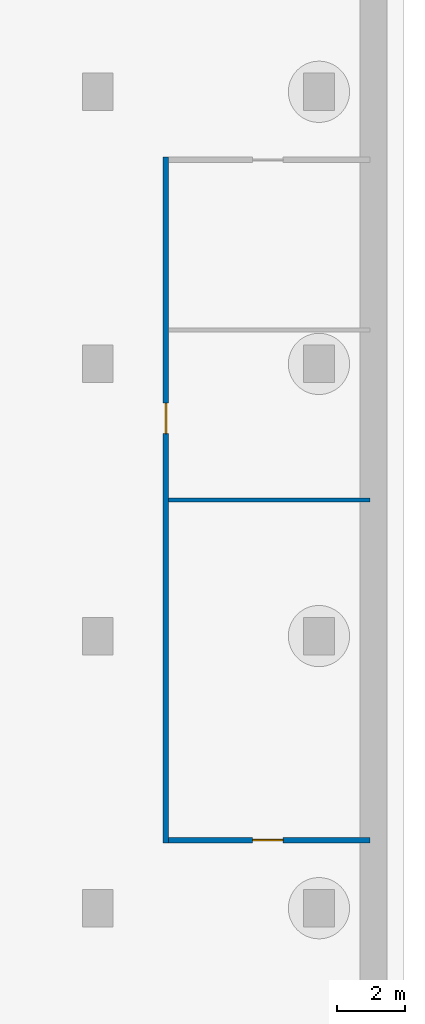
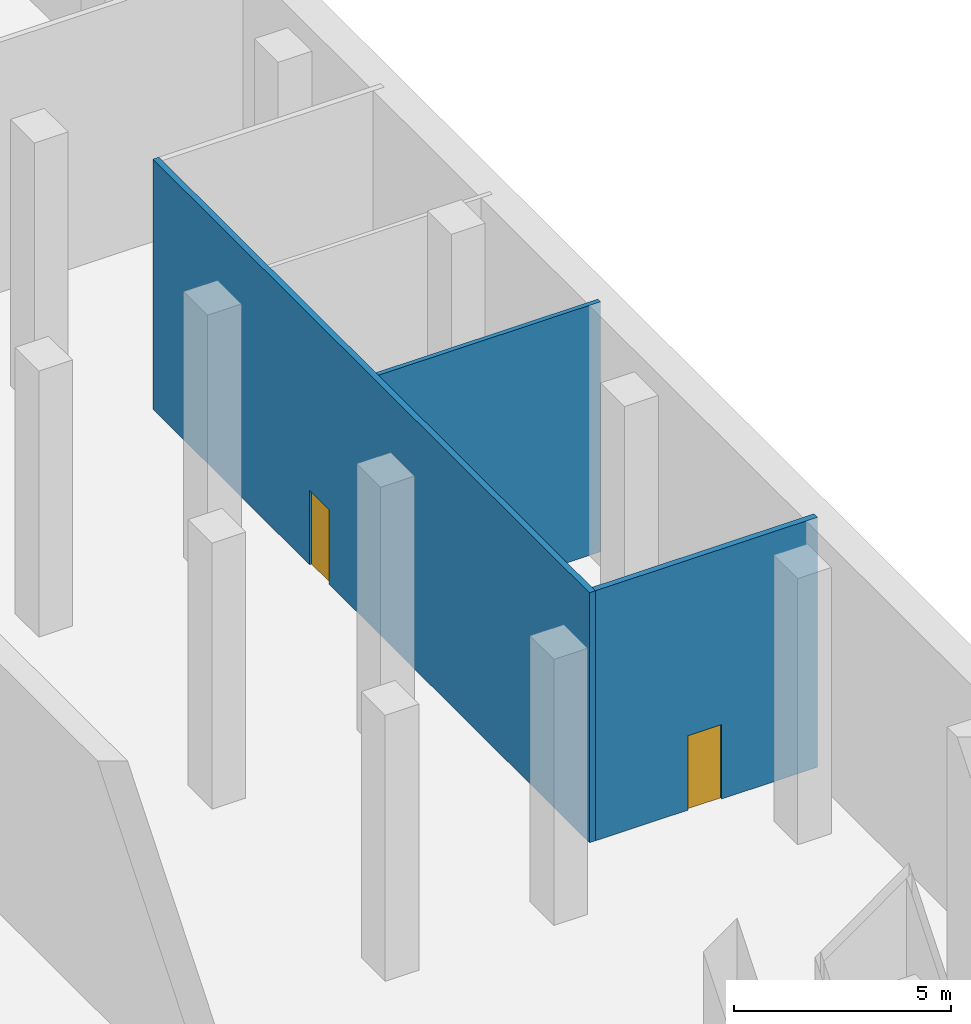
# One storey, part 9 of 19: 3 walls, 2 doors, 2 openings.
"""IFC4 building model written with IfcOpenShell, lengths in metres."""

from ifc_helpers import new_model, si_unit, direction, frame, frame_2d, origin, place, context, subcontext, project, spatial, rectangle, extrude, material, layer, layer_set, type_object, element, fill, save


model = new_model("IFC4")

# Units and contexts
model_context = context("Model", 3, precision=1e-05, world=origin(), true_north=direction((0.0, 1.0)))
body_context = subcontext(model_context, "Body", "Model", "MODEL_VIEW")
ifc_project = project(units=[si_unit("LENGTHUNIT", "METRE"), si_unit("AREAUNIT", "SQUARE_METRE"), si_unit("VOLUMEUNIT", "CUBIC_METRE"), si_unit("PLANEANGLEUNIT", "RADIAN"), si_unit("MASSUNIT", "GRAM", prefix="KILO")], contexts=[model_context])

# Site, building, storey
site_placement = place(None, origin())
site = spatial("IfcSite", under=ifc_project, at=site_placement, CompositionType="ELEMENT")
building_placement = place(site_placement, origin())
building = spatial("IfcBuilding", under=site, at=building_placement, Name="Alderwake Tower", CompositionType="ELEMENT")
storey_placement = place(building_placement, frame((0.0, 0.0, -14.0)))
storey = spatial("IfcBuildingStorey", under=building, at=storey_placement, Name="B2", CompositionType="ELEMENT", Elevation=-14.0)

# Wall, opening, door
ifc_material_1 = material(Name="Gypsum board on metal studs, rated")
ifc_layer_1 = layer(ifc_material_1, 0.159912109375)
ifc_layer_set_1 = layer_set([ifc_layer_1], Name="Corridor wall 160")
wall_type_1 = type_object("IfcWallType", Name="Corridor wall 160", PredefinedType="PARTITIONING", material=ifc_layer_set_1)
wall_1_placement = place(storey_placement, frame((80.0009765625, 49.9208984375, 0.0), z_axis=(0.0, 0.0, 1.0), x_axis=(0.0, 1.0, 0.0)))
wall_1 = element("IfcWall", 1, at=wall_1_placement, inside=storey, type_object=wall_type_1, Name="WL/B2/W67", PredefinedType="PARTITIONING", context=body_context, shape_type="SweptSolid", body=[
    extrude(rectangle(XDim=20.158203125, YDim=0.159912109375, at=frame_2d((10.0791015625, 0.0))), origin(), (0.0, 0.0, 1.0), 7.050048828125),
])
opening_1_placement = place(wall_1_placement, frame((12.029052734375, 0.0, 0.0)))
opening_1 = element("IfcOpeningElement", 2, at=opening_1_placement, cuts=wall_1, Name="Opening B2-11", PredefinedType="OPENING", context=body_context, shape_type="SweptSolid", body=[
    extrude(rectangle(XDim=0.89990234375, YDim=2.10009765625, at=frame_2d((0.449951171875, 1.050048828125))), frame((0.0, 0.08984375, 0.0), z_axis=(0.0, -1.0, 0.0), x_axis=(1.0, 0.0, 0.0)), (0.0, 0.0, 1.0), 0.179931640625),
])
ifc_material_2 = material(Name="Painted timber leaf", Category="wood")
door_type = type_object("IfcDoorType", Name="Room door 900", OperationType="SINGLE_SWING_LEFT", PredefinedType="DOOR", material=ifc_material_2)
door_1_placement = place(opening_1_placement, origin())
door_1 = element("IfcDoor", 3, at=door_1_placement, inside=storey, type_object=door_type, Name="DR/B2/11", OperationType="SINGLE_SWING_LEFT", OverallHeight=2.10009765625, OverallWidth=0.89990234375, PredefinedType="DOOR", context=body_context, shape_type="SweptSolid", body=[
    extrude(rectangle(XDim=0.89990234375, YDim=2.10009765625, at=frame_2d((0.449951171875, 1.050048828125))), frame((0.0, 0.02490234375, 0.0), z_axis=(0.0, -1.0, 0.0), x_axis=(1.0, 0.0, 0.0)), (0.0, 0.0, 1.0), 0.050048828125),
])
fill(opening_1, door_1)

wall_2_placement = place(storey_placement, frame((86.0009765625, 50.0009765625, 0.0), z_axis=(0.0, 0.0, 1.0), x_axis=(-1.0, 0.0, 0.0)))
wall_2 = element("IfcWall", 4, at=wall_2_placement, inside=storey, type_object=wall_type_1, Name="WL/B2/W72", PredefinedType="PARTITIONING", context=body_context, shape_type="SweptSolid", body=[
    extrude(rectangle(XDim=5.919921875, YDim=0.159912109375, at=frame_2d((2.9599609375, 0.0))), origin(), (0.0, 0.0, 1.0), 7.050048828125),
])
opening_2_placement = place(wall_2_placement, frame((2.551025390625, 0.0, 0.0)))
opening_2 = element("IfcOpeningElement", 5, at=opening_2_placement, cuts=wall_2, Name="Opening B2-10", PredefinedType="OPENING", context=body_context, shape_type="SweptSolid", body=[
    extrude(rectangle(XDim=0.89990234375, YDim=2.10009765625, at=frame_2d((0.449951171875, 1.050048828125))), frame((0.0, 0.08984375, 0.0), z_axis=(0.0, -1.0, 0.0), x_axis=(1.0, 0.0, 0.0)), (0.0, 0.0, 1.0), 0.179931640625),
])
door_2_placement = place(opening_2_placement, origin())
door_2 = element("IfcDoor", 6, at=door_2_placement, inside=storey, type_object=door_type, Name="DR/B2/10", OperationType="SINGLE_SWING_LEFT", OverallHeight=2.10009765625, OverallWidth=0.89990234375, PredefinedType="DOOR", context=body_context, shape_type="SweptSolid", body=[
    extrude(rectangle(XDim=0.89990234375, YDim=2.10009765625, at=frame_2d((0.449951171875, 1.050048828125))), frame((0.0, 0.02490234375, 0.0), z_axis=(0.0, -1.0, 0.0), x_axis=(1.0, 0.0, 0.0)), (0.0, 0.0, 1.0), 0.050048828125),
])
fill(opening_2, door_2)

# Wall
ifc_material_3 = material(Name="Moisture resistant gypsum board on metal studs")
ifc_layer_2 = layer(ifc_material_3, 0.1201171875)
ifc_layer_set_2 = layer_set([ifc_layer_2], Name="Wet room partition 120")
wall_type_2 = type_object("IfcWallType", Name="Wet room partition 120", PredefinedType="PARTITIONING", material=ifc_layer_set_2)
wall_3_placement = place(storey_placement, frame((86.0009765625, 60.0, 0.0), z_axis=(0.0, 0.0, 1.0), x_axis=(-1.0, 0.0, 0.0)))
element("IfcWall", 7, at=wall_3_placement, inside=storey, type_object=wall_type_2, Name="WL/B2/W75", PredefinedType="PARTITIONING", context=body_context, shape_type="SweptSolid", body=[
    extrude(rectangle(XDim=5.919921875, YDim=0.1201171875, at=frame_2d((2.9599609375, 0.0))), origin(), (0.0, 0.0, 1.0), 7.050048828125),
])

save(model, "model.ifc")
